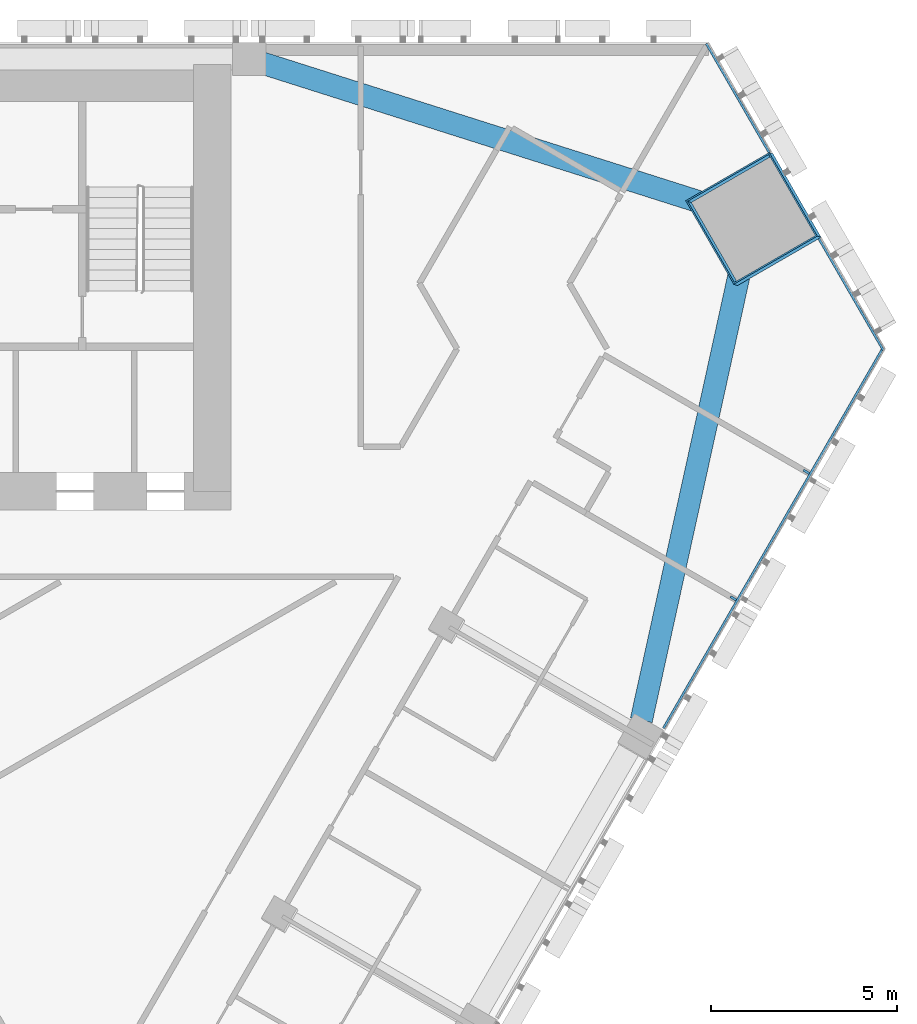
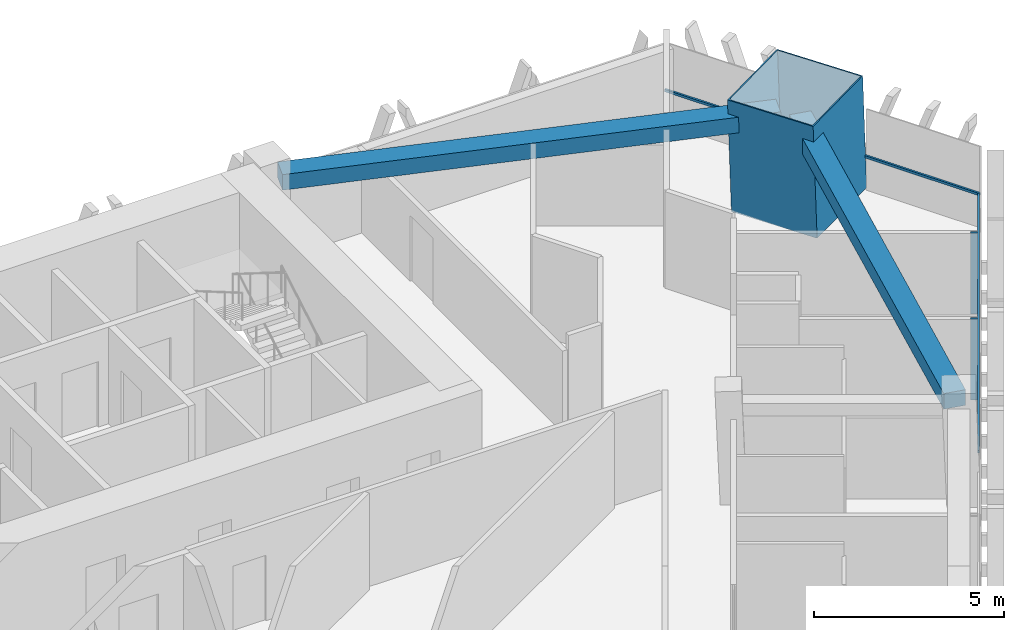
# One storey, part 8 of 18: 6 members, 2 beams, 2 elements without a shape of their own.
"""IFC4 building model written with IfcOpenShell, lengths in metres."""

from ifc_helpers import new_model, si_unit, direction, frame, origin, origin_2d, place, context, subcontext, project, spatial, rectangle, hollow_rectangle, extrude, material, layer, layer_set, material_profile, profile_set, type_object, element, aggregate, save


model = new_model("IFC4")

# Units and contexts
model_context = context("Model", 3, precision=1e-05, world=origin(), true_north=direction((0.0, 1.0)))
body_context = subcontext(model_context, "Body", "Model", "MODEL_VIEW")
ifc_project = project(units=[si_unit("LENGTHUNIT", "METRE"), si_unit("AREAUNIT", "SQUARE_METRE"), si_unit("VOLUMEUNIT", "CUBIC_METRE"), si_unit("PLANEANGLEUNIT", "RADIAN"), si_unit("MASSUNIT", "GRAM", prefix="KILO")], contexts=[model_context])

# Site, building, storey
site_placement = place(None, origin())
site = spatial("IfcSite", under=ifc_project, at=site_placement, CompositionType="ELEMENT")
building_placement = place(site_placement, origin())
building = spatial("IfcBuilding", under=site, at=building_placement, Name="Altiplano Prism Tower", CompositionType="ELEMENT")
storey_placement = place(building_placement, frame((0.0, 0.0, 48.60009765625)))
storey = spatial("IfcBuildingStorey", under=building, at=storey_placement, Name="L11", CompositionType="ELEMENT", Elevation=48.60009765625)

# Curtain wall, members
ifc_material_1 = material(Name="Aluminium and glass", Category="aluminium")
ifc_layer = layer(ifc_material_1, 0.280029296875)
ifc_layer_set = layer_set([ifc_layer], Name="Aluminium and glass")
curtain_wall_type = type_object("IfcCurtainWallType", Name="CW1 typical co-living unitised curtain wall", PredefinedType="NOTDEFINED", material=ifc_layer_set)
curtain_wall_1_placement = place(storey_placement, origin())
curtain_wall_1 = element("IfcCurtainWall", 1, at=curtain_wall_1_placement, inside=storey, type_object=curtain_wall_type, Name="CW1 curtain wall south-east face L11", PredefinedType="NOTDEFINED")
ifc_material_2 = material(Name="Aluminium", Category="aluminium")
ifc_material_profile_1 = material_profile(ifc_material_2, rectangle(XDim=0.179931640625, YDim=0.06494140625, at=origin_2d()), Name="CW1 mullion 65 x 180")
ifc_profile_set_1 = profile_set([ifc_material_profile_1], Name="Aluminium")
member_type_1 = type_object("IfcMemberType", Name="CW1 mullion 65 x 180", PredefinedType="MULLION", material=ifc_profile_set_1)
member_1_placement = place(storey_placement, frame((111.5419921875, 90.0146484375, 0.0), z_axis=(0.0, 0.0, 1.0), x_axis=(-0.866025410076, 0.499999989102, 0.0)))
member_1 = element("IfcMember", 2, at=member_1_placement, type_object=member_type_1, Name="CW1 mullion", PredefinedType="MULLION", context=body_context, shape_type="SweptSolid", body=[
    extrude(rectangle(XDim=0.179931640625, YDim=0.06494140625, at=origin_2d()), origin(), (0.0, 0.0, 1.0), 2.599853515625),
])
member_2_placement = place(storey_placement, frame((113.5107421875, 93.4248046875, 0.0), z_axis=(0.0, 0.0, 1.0), x_axis=(-0.866025410076, 0.499999989102, 0.0)))
member_2 = element("IfcMember", 3, at=member_2_placement, type_object=member_type_1, Name="CW1 mullion", PredefinedType="MULLION", context=body_context, shape_type="SweptSolid", body=[
    extrude(rectangle(XDim=0.179931640625, YDim=0.06494140625, at=origin_2d()), origin(), (0.0, 0.0, 1.0), 2.599853515625),
])
ifc_material_profile_2 = material_profile(ifc_material_2, rectangle(XDim=0.06005859375, YDim=0.080078125, at=origin_2d()), Name="CW1 transom 80 x 60")
ifc_profile_set_2 = profile_set([ifc_material_profile_2], Name="Aluminium")
member_type_2 = type_object("IfcMemberType", Name="CW1 transom 80 x 60", PredefinedType="USERDEFINED", material=ifc_profile_set_2)
member_3_placement = place(storey_placement, frame((109.66064453125, 86.51611328125, 1.099853515625), z_axis=(0.500004931598, 0.866022556506, 0.0), x_axis=(-0.866022556506, 0.500004931598, 0.0)))
member_3 = element("IfcMember", 4, at=member_3_placement, type_object=member_type_2, Name="CW1 transom", ObjectType="TRANSOM", PredefinedType="USERDEFINED", context=body_context, shape_type="SweptSolid", body=[
    extrude(rectangle(XDim=0.06005859375, YDim=0.080078125, at=origin_2d()), origin(), (0.0, 0.0, 1.0), 11.845703125),
])
aggregate(curtain_wall_1, [member_1, member_2, member_3])

curtain_wall_2_placement = place(storey_placement, origin())
curtain_wall_2 = element("IfcCurtainWall", 5, at=curtain_wall_2_placement, inside=storey, type_object=curtain_wall_type, Name="CW1 curtain wall north-east chamfer L11", PredefinedType="NOTDEFINED")
member_4_placement = place(storey_placement, frame((115.58349609375, 96.70458984375, 1.099853515625), z_axis=(-0.500006734102, 0.866021515814, 0.0), x_axis=(-0.866021515814, -0.500006734102, 0.0)))
member_4 = element("IfcMember", 6, at=member_4_placement, type_object=member_type_2, Name="CW1 transom", ObjectType="TRANSOM", PredefinedType="USERDEFINED", context=body_context, shape_type="SweptSolid", body=[
    extrude(rectangle(XDim=0.06005859375, YDim=0.080078125, at=origin_2d()), origin(), (0.0, 0.0, 1.0), 3.46923828125),
])
member_5_placement = place(storey_placement, frame((112.509033203125, 102.030029296875, 1.099853515625), z_axis=(-0.500005136037, 0.866022438472, 0.0), x_axis=(-0.866022438472, -0.500005136037, 0.0)))
member_5 = element("IfcMember", 7, at=member_5_placement, type_object=member_type_2, Name="CW1 transom", ObjectType="TRANSOM", PredefinedType="USERDEFINED", context=body_context, shape_type="SweptSolid", body=[
    extrude(rectangle(XDim=0.06005859375, YDim=0.080078125, at=origin_2d()), origin(), (0.0, 0.0, 1.0), 3.38916015625),
])
aggregate(curtain_wall_2, [member_4, member_5])

# Beams
ifc_material_3 = material(Name="Concrete C60/75", Category="concrete")
ifc_material_profile_3 = material_profile(ifc_material_3, rectangle(XDim=0.60009765625, YDim=0.5, at=origin_2d()), Name="Edge beam 600x500")
ifc_profile_set_3 = profile_set([ifc_material_profile_3], Name="Concrete C60/75")
beam_type = type_object("IfcBeamType", Name="Edge beam 600x500", PredefinedType="SPANDREL", material=ifc_profile_set_3)
for number, where, z_axis, x_axis, name in (
    (8, (109.0625, 86.730224609375, 2.849853515625), (0.214448008524, 0.976735405133, 0.0), (-0.976735405133, 0.214448008524, 0.0), "Edge beam P24-M2 L12"),
    (9, (111.6025390625, 100.389404296875, 2.849853515625), (-0.953102989062, 0.302646150218, 0.0), (-0.302646150218, -0.953102989062, 0.0), "Edge beam M2-P01 L12"),
):
    element("IfcBeam", number, at=place(storey_placement, frame(where, z_axis=z_axis, x_axis=x_axis)), inside=storey, type_object=beam_type, Name=name, PredefinedType="SPANDREL", context=body_context, shape_type="SweptSolid", body=[
        extrude(rectangle(XDim=0.60009765625, YDim=0.5, at=origin_2d()), origin(), (0.0, 0.0, 1.0), 13.39501953125),
    ])

# Member
ifc_material_4 = material(Name="Steel S460", Category="steel")
ifc_material_profile_4 = material_profile(ifc_material_4, hollow_rectangle(XDim=2.60009765625, YDim=2.60009765625, WallThickness=0.0400390625, at=origin_2d()), Name="Mega column tube 2600")
ifc_profile_set_4 = profile_set([ifc_material_profile_4], Name="Steel S460")
member_type_3 = type_object("IfcMemberType", Name="Mega column tube 2600", PredefinedType="POST", material=ifc_profile_set_4)
member_6_placement = place(storey_placement, frame((112.1337890625, 100.2197265625, 0.0), z_axis=(-0.028403721265, 0.009287135593, 0.999553389135), x_axis=(0.49889137535, -0.866379466003, 0.02222648173)))
element("IfcMember", 10, at=member_6_placement, inside=storey, type_object=member_type_3, Name="Mega column tube M2 L11", PredefinedType="POST", context=body_context, shape_type="SweptSolid", body=[
    extrude(hollow_rectangle(XDim=2.60009765625, YDim=2.60009765625, WallThickness=0.0400390625, at=origin_2d()), origin(), (0.0, 0.0, 1.0), 3.6015625),
])

save(model, "model.ifc")
